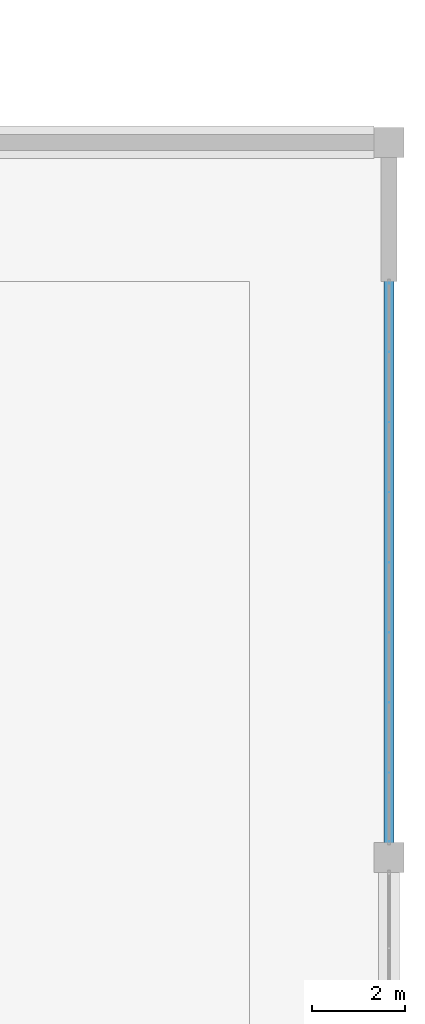
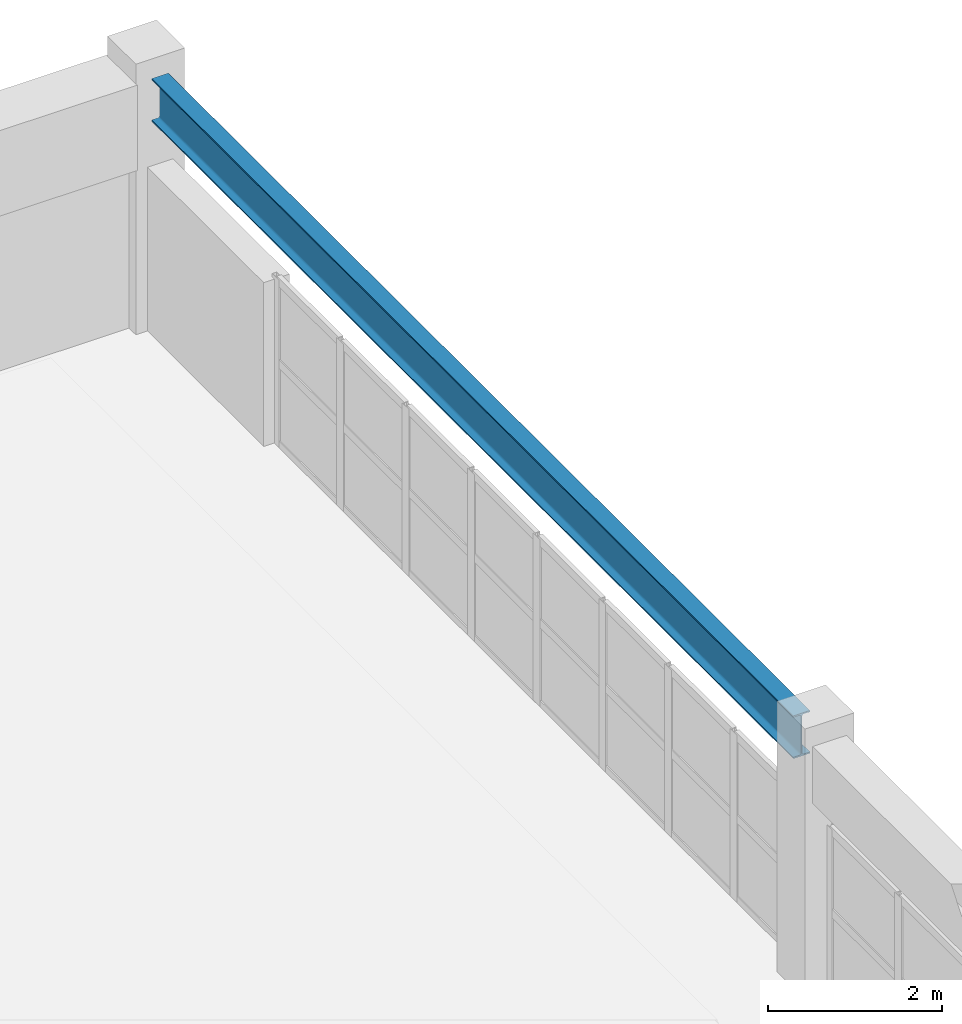
# One storey, part 37 of 74: 1 beam.
"""IFC4 building model written with IfcOpenShell, lengths in metres."""

from ifc_helpers import new_model, si_unit, direction, frame, origin, origin_2d, place, context, subcontext, project, spatial, i_section, extrude, material, material_profile, profile_set, type_object, element, save


model = new_model("IFC4")

# Units and contexts
model_context = context("Model", 3, precision=1e-05, world=origin(), true_north=direction((0.0, 1.0)))
body_context = subcontext(model_context, "Body", "Model", "MODEL_VIEW")
ifc_project = project(units=[si_unit("LENGTHUNIT", "METRE"), si_unit("AREAUNIT", "SQUARE_METRE"), si_unit("VOLUMEUNIT", "CUBIC_METRE"), si_unit("PLANEANGLEUNIT", "RADIAN"), si_unit("MASSUNIT", "GRAM", prefix="KILO")], contexts=[model_context])

# Site, building, storey
site_placement = place(None, origin())
site = spatial("IfcSite", under=ifc_project, at=site_placement, CompositionType="ELEMENT")
building_placement = place(site_placement, origin())
building = spatial("IfcBuilding", under=site, at=building_placement, Name="Muzn Square Opera House", CompositionType="ELEMENT")
storey_placement = place(building_placement, frame((0.0, 0.0, 14.199951171875)))
storey = spatial("IfcBuildingStorey", under=building, at=storey_placement, Name="L03", CompositionType="ELEMENT", Elevation=14.199951171875)

# Beam
ifc_material = material(Name="Steel S355", Category="steel")
ifc_material_profile = material_profile(ifc_material, i_section(OverallWidth=0.219970703125, OverallDepth=0.60009765625, WebThickness=0.011962890625, FlangeThickness=0.01904296875, FilletRadius=0.02392578125, at=origin_2d()), Name="IPE 600", Category="steel")
ifc_profile_set = profile_set([ifc_material_profile], Name="Steel S355")
beam_type = type_object("IfcBeamType", Name="Stage Gallery Beam IPE600", PredefinedType="BEAM", material=ifc_profile_set)
beam_placement = place(storey_placement, frame((170.0, 98.9169921875, 3.219970703125), z_axis=(0.0, 1.0, 0.0), x_axis=(-1.0, 0.0, 0.0)))
element("IfcBeam", 1, at=beam_placement, inside=storey, type_object=beam_type, Name="Primary Girder BM-N114-L03-024", PredefinedType="BEAM", context=body_context, shape_type="SweptSolid", body=[
    extrude(i_section(OverallWidth=0.219970703125, OverallDepth=0.60009765625, WebThickness=0.011962890625, FlangeThickness=0.01904296875, FilletRadius=0.02392578125, at=origin_2d()), origin(), (0.0, 0.0, 1.0), 14.76611328125),
])

save(model, "model.ifc")
